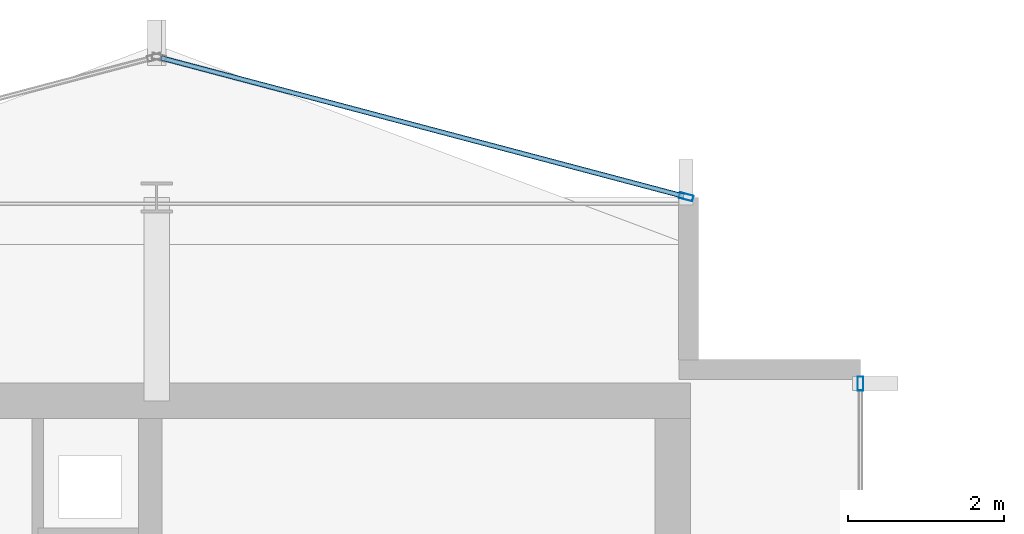
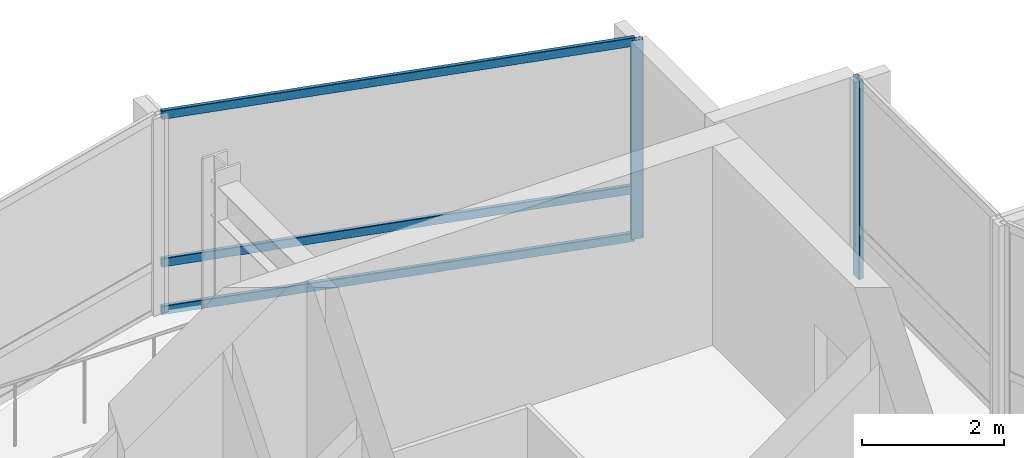
# One storey, part 18 of 27: 5 members, 2 elements without a shape of their own.
"""IFC4 building model written with IfcOpenShell, lengths in metres."""

from ifc_helpers import new_model, si_unit, direction, frame, origin, origin_2d, place, context, subcontext, project, spatial, hollow_rectangle, extrude, material, layer, layer_set, material_profile, profile_set, type_object, element, aggregate, save


model = new_model("IFC4")

# Units and contexts
model_context = context("Model", 3, precision=1e-05, world=origin(), true_north=direction((0.0, 1.0)))
body_context = subcontext(model_context, "Body", "Model", "MODEL_VIEW")
ifc_project = project(units=[si_unit("LENGTHUNIT", "METRE"), si_unit("AREAUNIT", "SQUARE_METRE"), si_unit("VOLUMEUNIT", "CUBIC_METRE"), si_unit("PLANEANGLEUNIT", "RADIAN"), si_unit("MASSUNIT", "GRAM", prefix="KILO")], contexts=[model_context])

# Site, building, storey
site_placement = place(None, origin())
site = spatial("IfcSite", under=ifc_project, at=site_placement, CompositionType="ELEMENT")
building_placement = place(site_placement, origin())
building = spatial("IfcBuilding", under=site, at=building_placement, Name="Solvaryn Broadcast Tower", CompositionType="ELEMENT")
storey_placement = place(building_placement, frame((0.0, 0.0, 224.699951171875)))
storey = spatial("IfcBuildingStorey", under=building, at=storey_placement, Name="L56", CompositionType="ELEMENT", Elevation=224.699951171875)

# Curtain wall, member
ifc_material_1 = material(Name="Aluminium and Terracotta Unitised Curtain Wall", Category="masonry")
ifc_layer = layer(ifc_material_1, 0.199951171875)
ifc_layer_set = layer_set([ifc_layer], Name="CW-SYS2-LOWMID")
curtain_wall_type = type_object("IfcCurtainWallType", Name="CW-SYS2-LOWMID", PredefinedType="NOTDEFINED", material=ifc_layer_set)
curtain_wall_1_placement = place(storey_placement, origin())
curtain_wall_1 = element("IfcCurtainWall", 1, at=curtain_wall_1_placement, inside=storey, type_object=curtain_wall_type, Name="L56 Curtain Wall IV", PredefinedType="NOTDEFINED")
ifc_material_2 = material(Name="Anodised Aluminium 6063-T6", Category="aluminium")
ifc_material_profile_1 = material_profile(ifc_material_2, hollow_rectangle(XDim=0.074951171875, YDim=0.179931640625, WallThickness=0.00390625, InnerFilletRadius=0.00390625, OuterFilletRadius=0.008056640625, at=origin_2d()))
ifc_profile_set_1 = profile_set([ifc_material_profile_1], Name="Anodised Aluminium 6063-T6")
member_type_1 = type_object("IfcMemberType", Name="CW-MUL-180", PredefinedType="MULLION", material=ifc_profile_set_1)
member_1_placement = place(storey_placement, frame((27.0, 42.6201171875, 0.0), z_axis=(0.0, 0.0, 1.0), x_axis=(1.0, 0.0, 0.0)))
member_1 = element("IfcMember", 2, at=member_1_placement, type_object=member_type_1, Name="CWS2 mullion 1", PredefinedType="MULLION", context=body_context, shape_type="SweptSolid", body=[
    extrude(hollow_rectangle(XDim=0.074951171875, YDim=0.179931640625, WallThickness=0.00390625, InnerFilletRadius=0.00390625, OuterFilletRadius=0.008056640625, at=origin_2d()), origin(), (0.0, 0.0, 1.0), 3.420166015625),
])
aggregate(curtain_wall_1, [member_1])

# Curtain wall, members
curtain_wall_2_placement = place(storey_placement, origin())
curtain_wall_2 = element("IfcCurtainWall", 3, at=curtain_wall_2_placement, inside=storey, type_object=curtain_wall_type, Name="L56 Curtain Wall NT1", PredefinedType="NOTDEFINED")
member_2_placement = place(storey_placement, frame((24.77099609375, 45.007568359375, 0.0), z_axis=(0.0, 0.0, 1.0), x_axis=(-0.25589256031, -0.966705227863, 0.0)))
member_2 = element("IfcMember", 4, at=member_2_placement, type_object=member_type_1, Name="CWS2 mullion 1", PredefinedType="MULLION", context=body_context, shape_type="SweptSolid", body=[
    extrude(hollow_rectangle(XDim=0.074951171875, YDim=0.179931640625, WallThickness=0.00390625, InnerFilletRadius=0.00390625, OuterFilletRadius=0.008056640625, at=origin_2d()), origin(), (0.0, 0.0, 1.0), 3.420166015625),
])
ifc_material_3 = material(Name="Anodised Aluminium 6063-T6", Category="aluminium")
ifc_material_profile_2 = material_profile(ifc_material_3, hollow_rectangle(XDim=0.06494140625, YDim=0.14990234375, WallThickness=0.00390625, InnerFilletRadius=0.00390625, OuterFilletRadius=0.008056640625, at=origin_2d()))
ifc_profile_set_2 = profile_set([ifc_material_profile_2], Name="Anodised Aluminium 6063-T6")
member_type_2 = type_object("IfcMemberType", Name="CW-TRN-150", PredefinedType="USERDEFINED", material=ifc_profile_set_2)
member_3_placement = place(storey_placement, frame((24.741943359375, 45.015380859375, 0.030029296875), z_axis=(-0.966703943301, 0.255897413051, 0.0), x_axis=(-0.255897413051, -0.966703943301, 0.0)))
member_3 = element("IfcMember", 5, at=member_3_placement, type_object=member_type_2, Name="CWS2 transom 1.1", ObjectType="TRANSOM", PredefinedType="USERDEFINED", context=body_context, shape_type="SweptSolid", body=[
    extrude(hollow_rectangle(XDim=0.06494140625, YDim=0.14990234375, WallThickness=0.00390625, InnerFilletRadius=0.00390625, OuterFilletRadius=0.008056640625, at=origin_2d()), origin(), (0.0, 0.0, 1.0), 6.9140625),
])
member_4_placement = place(storey_placement, frame((24.741943359375, 45.015380859375, 0.85009765625), z_axis=(-0.966703943301, 0.255897413051, 0.0), x_axis=(-0.255897413051, -0.966703943301, 0.0)))
member_4 = element("IfcMember", 6, at=member_4_placement, type_object=member_type_2, Name="CWS2 transom 1.2", ObjectType="TRANSOM", PredefinedType="USERDEFINED", context=body_context, shape_type="SweptSolid", body=[
    extrude(hollow_rectangle(XDim=0.06494140625, YDim=0.14990234375, WallThickness=0.00390625, InnerFilletRadius=0.00390625, OuterFilletRadius=0.008056640625, at=origin_2d()), origin(), (0.0, 0.0, 1.0), 6.9140625),
])
member_5_placement = place(storey_placement, frame((24.741943359375, 45.015380859375, 3.39013671875), z_axis=(-0.966703943301, 0.255897413051, 0.0), x_axis=(-0.255897413051, -0.966703943301, 0.0)))
member_5 = element("IfcMember", 7, at=member_5_placement, type_object=member_type_2, Name="CWS2 transom 1.3", ObjectType="TRANSOM", PredefinedType="USERDEFINED", context=body_context, shape_type="SweptSolid", body=[
    extrude(hollow_rectangle(XDim=0.06494140625, YDim=0.14990234375, WallThickness=0.00390625, InnerFilletRadius=0.00390625, OuterFilletRadius=0.008056640625, at=origin_2d()), origin(), (0.0, 0.0, 1.0), 6.9140625),
])
aggregate(curtain_wall_2, [member_2, member_3, member_4, member_5])

save(model, "model.ifc")
